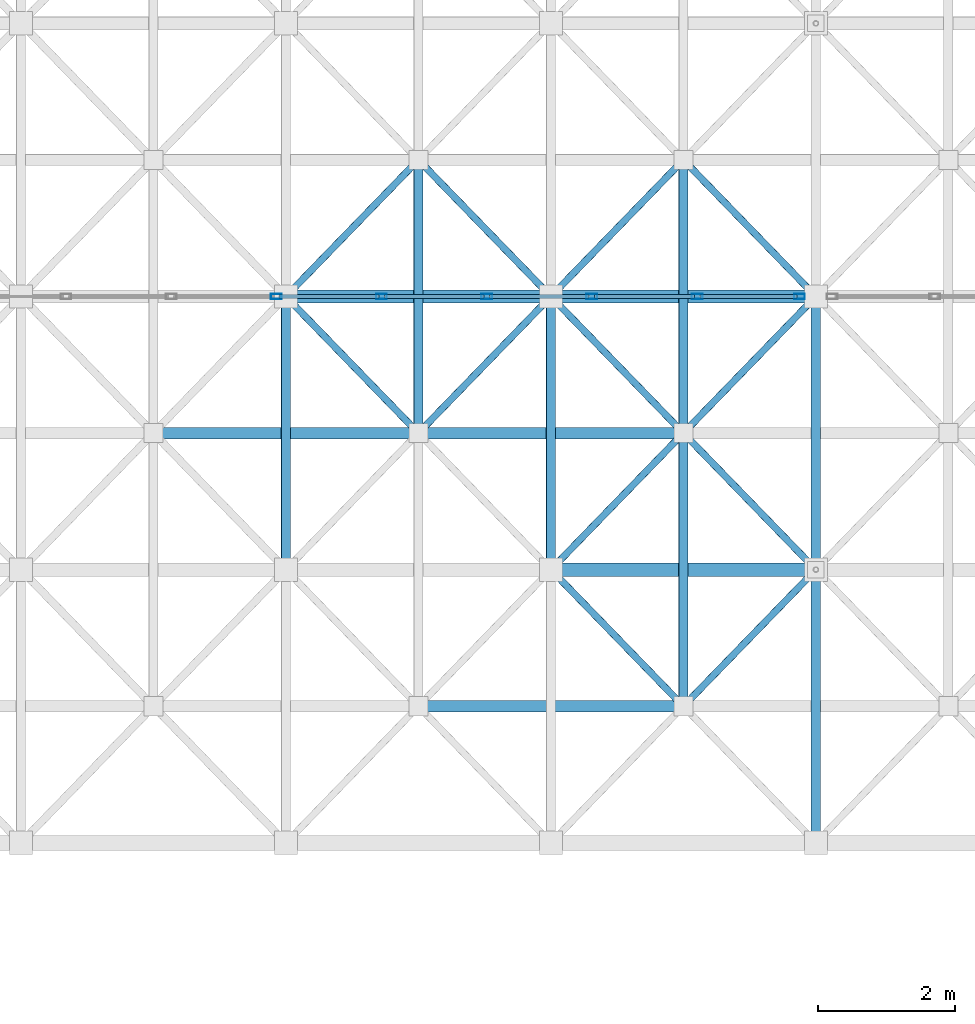
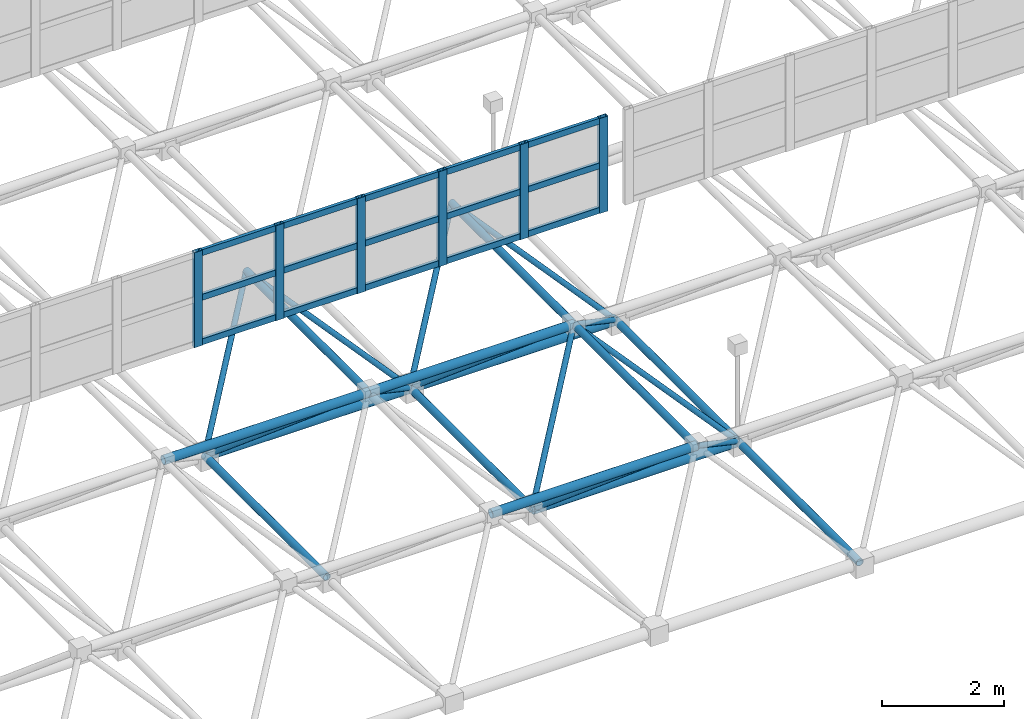
# One storey, part 48 of 195: 46 members, 1 element without a shape of its own.
"""IFC4 building model written with IfcOpenShell, lengths in metres."""

from ifc_helpers import new_model, si_unit, direction, frame, origin, origin_2d, place, context, subcontext, project, spatial, hollow_rectangle, hollow_circle, extrude, material, material_profile, profile_set, type_object, element, aggregate, save


model = new_model("IFC4")

# Units and contexts
model_context = context("Model", 3, precision=1e-05, world=origin(), true_north=direction((0.0, 1.0)))
body_context = subcontext(model_context, "Body", "Model", "MODEL_VIEW")
ifc_project = project(units=[si_unit("LENGTHUNIT", "METRE"), si_unit("AREAUNIT", "SQUARE_METRE"), si_unit("VOLUMEUNIT", "CUBIC_METRE"), si_unit("PLANEANGLEUNIT", "RADIAN"), si_unit("MASSUNIT", "GRAM", prefix="KILO")], contexts=[model_context])

# Site, building, storey
site_placement = place(None, origin())
site = spatial("IfcSite", under=ifc_project, at=site_placement, CompositionType="ELEMENT")
building_placement = place(site_placement, origin())
building = spatial("IfcBuilding", under=site, at=building_placement, Name="Kharva Crest Polytechnic", CompositionType="ELEMENT")
storey_placement = place(building_placement, frame((0.0, 0.0, 9.0)))
storey = spatial("IfcBuildingStorey", under=building, at=storey_placement, Name="L02", CompositionType="ELEMENT", Elevation=9.0)

# Curtain wall, members
ifc_material_1 = material(Name="Tempered insulated glass", Category="glass")
curtain_wall_type = type_object("IfcCurtainWallType", Name="CW-SYS-NORTHLIGHT", PredefinedType="USERDEFINED", material=ifc_material_1)
curtain_wall_placement = place(storey_placement, origin())
curtain_wall = element("IfcCurtainWall", 1, at=curtain_wall_placement, inside=storey, type_object=curtain_wall_type, Name="L02 Glazed Curtain Wall CW-189", ObjectType="CURTAIN WALL", PredefinedType="USERDEFINED")
ifc_material_2 = material(Name="Steel S355", Category="steel")
ifc_material_profile_1 = material_profile(ifc_material_2, hollow_rectangle(XDim=0.080078125, YDim=0.159912109375, WallThickness=0.0048828125, at=origin_2d()), Name="RHS 160X80X5.0")
ifc_profile_set_1 = profile_set([ifc_material_profile_1], Name="Steel S355")
member_type_1 = type_object("IfcMemberType", Name="CWM-RHS160X80", PredefinedType="MULLION", material=ifc_profile_set_1)
member_1_placement = place(storey_placement, frame((8.10009765625, 46.800048828125, 2.85009765625), z_axis=(0.0, 0.0, 1.0), x_axis=(0.0, 1.0, 0.0)))
member_1 = element("IfcMember", 2, at=member_1_placement, type_object=member_type_1, Name="CW-189 mullion 6", PredefinedType="MULLION", context=body_context, shape_type="SweptSolid", body=[
    extrude(hollow_rectangle(XDim=0.080078125, YDim=0.159912109375, WallThickness=0.0048828125, at=origin_2d()), origin(), (0.0, 0.0, 1.0), 1.89990234375),
])
member_2_placement = place(storey_placement, frame((9.639892578125, 46.800048828125, 2.85009765625), z_axis=(0.0, 0.0, 1.0), x_axis=(0.0, 1.0, 0.0)))
member_2 = element("IfcMember", 3, at=member_2_placement, type_object=member_type_1, Name="CW-189 mullion 7", PredefinedType="MULLION", context=body_context, shape_type="SweptSolid", body=[
    extrude(hollow_rectangle(XDim=0.080078125, YDim=0.159912109375, WallThickness=0.0048828125, at=origin_2d()), origin(), (0.0, 0.0, 1.0), 1.89990234375),
])
member_3_placement = place(storey_placement, frame((11.179931640625, 46.800048828125, 2.85009765625), z_axis=(0.0, 0.0, 1.0), x_axis=(0.0, 1.0, 0.0)))
member_3 = element("IfcMember", 4, at=member_3_placement, type_object=member_type_1, Name="CW-189 mullion 8", PredefinedType="MULLION", context=body_context, shape_type="SweptSolid", body=[
    extrude(hollow_rectangle(XDim=0.080078125, YDim=0.159912109375, WallThickness=0.0048828125, at=origin_2d()), origin(), (0.0, 0.0, 1.0), 1.89990234375),
])
member_4_placement = place(storey_placement, frame((12.719970703125, 46.800048828125, 2.85009765625), z_axis=(0.0, 0.0, 1.0), x_axis=(0.0, 1.0, 0.0)))
member_4 = element("IfcMember", 5, at=member_4_placement, type_object=member_type_1, Name="CW-189 mullion 9", PredefinedType="MULLION", context=body_context, shape_type="SweptSolid", body=[
    extrude(hollow_rectangle(XDim=0.080078125, YDim=0.159912109375, WallThickness=0.0048828125, at=origin_2d()), origin(), (0.0, 0.0, 1.0), 1.89990234375),
])
member_5_placement = place(storey_placement, frame((14.260009765625, 46.800048828125, 2.85009765625), z_axis=(0.0, 0.0, 1.0), x_axis=(0.0, 1.0, 0.0)))
member_5 = element("IfcMember", 6, at=member_5_placement, type_object=member_type_1, Name="CW-189 mullion 10", PredefinedType="MULLION", context=body_context, shape_type="SweptSolid", body=[
    extrude(hollow_rectangle(XDim=0.080078125, YDim=0.159912109375, WallThickness=0.0048828125, at=origin_2d()), origin(), (0.0, 0.0, 1.0), 1.89990234375),
])
member_6_placement = place(storey_placement, frame((15.760009765625, 46.800048828125, 2.85009765625), z_axis=(0.0, 0.0, 1.0), x_axis=(0.0, 1.0, 0.0)))
member_6 = element("IfcMember", 7, at=member_6_placement, type_object=member_type_1, Name="CW-189 mullion 11", PredefinedType="MULLION", context=body_context, shape_type="SweptSolid", body=[
    extrude(hollow_rectangle(XDim=0.080078125, YDim=0.159912109375, WallThickness=0.0048828125, at=origin_2d()), origin(), (0.0, 0.0, 1.0), 1.89990234375),
])
ifc_material_profile_2 = material_profile(ifc_material_2, hollow_rectangle(XDim=0.06005859375, YDim=0.1201171875, WallThickness=0.00390625, at=origin_2d()), Name="RHS 120X60X4.0")
ifc_profile_set_2 = profile_set([ifc_material_profile_2], Name="Steel S355")
member_type_2 = type_object("IfcMemberType", Name="CWT-RHS120X60", PredefinedType="USERDEFINED", material=ifc_profile_set_2)
member_7_placement = place(storey_placement, frame((8.139892578125, 46.800048828125, 2.909912109375), z_axis=(1.0, 0.0, 0.0), x_axis=(0.0, 1.0, 0.0)))
member_7 = element("IfcMember", 8, at=member_7_placement, type_object=member_type_2, Name="CW-189 transom 6.1", ObjectType="TRANSOM", PredefinedType="USERDEFINED", context=body_context, shape_type="SweptSolid", body=[
    extrude(hollow_rectangle(XDim=0.06005859375, YDim=0.1201171875, WallThickness=0.00390625, at=origin_2d()), origin(), (0.0, 0.0, 1.0), 1.460205078125),
])
member_8_placement = place(storey_placement, frame((8.139892578125, 46.800048828125, 3.800048828125), z_axis=(1.0, 0.0, 0.0), x_axis=(0.0, 1.0, 0.0)))
member_8 = element("IfcMember", 9, at=member_8_placement, type_object=member_type_2, Name="CW-189 transom 6.2", ObjectType="TRANSOM", PredefinedType="USERDEFINED", context=body_context, shape_type="SweptSolid", body=[
    extrude(hollow_rectangle(XDim=0.06005859375, YDim=0.1201171875, WallThickness=0.00390625, at=origin_2d()), origin(), (0.0, 0.0, 1.0), 1.460205078125),
])
member_9_placement = place(storey_placement, frame((8.139892578125, 46.800048828125, 4.68994140625), z_axis=(1.0, 0.0, 0.0), x_axis=(0.0, 1.0, 0.0)))
member_9 = element("IfcMember", 10, at=member_9_placement, type_object=member_type_2, Name="CW-189 transom 6.3", ObjectType="TRANSOM", PredefinedType="USERDEFINED", context=body_context, shape_type="SweptSolid", body=[
    extrude(hollow_rectangle(XDim=0.06005859375, YDim=0.1201171875, WallThickness=0.00390625, at=origin_2d()), origin(), (0.0, 0.0, 1.0), 1.460205078125),
])
member_10_placement = place(storey_placement, frame((9.679931640625, 46.800048828125, 2.909912109375), z_axis=(1.0, 0.0, 0.0), x_axis=(0.0, 1.0, 0.0)))
member_10 = element("IfcMember", 11, at=member_10_placement, type_object=member_type_2, Name="CW-189 transom 7.1", ObjectType="TRANSOM", PredefinedType="USERDEFINED", context=body_context, shape_type="SweptSolid", body=[
    extrude(hollow_rectangle(XDim=0.06005859375, YDim=0.1201171875, WallThickness=0.00390625, at=origin_2d()), origin(), (0.0, 0.0, 1.0), 1.4599609375),
])
member_11_placement = place(storey_placement, frame((9.679931640625, 46.800048828125, 3.800048828125), z_axis=(1.0, 0.0, 0.0), x_axis=(0.0, 1.0, 0.0)))
member_11 = element("IfcMember", 12, at=member_11_placement, type_object=member_type_2, Name="CW-189 transom 7.2", ObjectType="TRANSOM", PredefinedType="USERDEFINED", context=body_context, shape_type="SweptSolid", body=[
    extrude(hollow_rectangle(XDim=0.06005859375, YDim=0.1201171875, WallThickness=0.00390625, at=origin_2d()), origin(), (0.0, 0.0, 1.0), 1.4599609375),
])
member_12_placement = place(storey_placement, frame((9.679931640625, 46.800048828125, 4.68994140625), z_axis=(1.0, 0.0, 0.0), x_axis=(0.0, 1.0, 0.0)))
member_12 = element("IfcMember", 13, at=member_12_placement, type_object=member_type_2, Name="CW-189 transom 7.3", ObjectType="TRANSOM", PredefinedType="USERDEFINED", context=body_context, shape_type="SweptSolid", body=[
    extrude(hollow_rectangle(XDim=0.06005859375, YDim=0.1201171875, WallThickness=0.00390625, at=origin_2d()), origin(), (0.0, 0.0, 1.0), 1.4599609375),
])
member_13_placement = place(storey_placement, frame((11.219970703125, 46.800048828125, 2.909912109375), z_axis=(1.0, 0.0, 0.0), x_axis=(0.0, 1.0, 0.0)))
member_13 = element("IfcMember", 14, at=member_13_placement, type_object=member_type_2, Name="CW-189 transom 8.1", ObjectType="TRANSOM", PredefinedType="USERDEFINED", context=body_context, shape_type="SweptSolid", body=[
    extrude(hollow_rectangle(XDim=0.06005859375, YDim=0.1201171875, WallThickness=0.00390625, at=origin_2d()), origin(), (0.0, 0.0, 1.0), 1.4599609375),
])
member_14_placement = place(storey_placement, frame((11.219970703125, 46.800048828125, 3.800048828125), z_axis=(1.0, 0.0, 0.0), x_axis=(0.0, 1.0, 0.0)))
member_14 = element("IfcMember", 15, at=member_14_placement, type_object=member_type_2, Name="CW-189 transom 8.2", ObjectType="TRANSOM", PredefinedType="USERDEFINED", context=body_context, shape_type="SweptSolid", body=[
    extrude(hollow_rectangle(XDim=0.06005859375, YDim=0.1201171875, WallThickness=0.00390625, at=origin_2d()), origin(), (0.0, 0.0, 1.0), 1.4599609375),
])
member_15_placement = place(storey_placement, frame((11.219970703125, 46.800048828125, 4.68994140625), z_axis=(1.0, 0.0, 0.0), x_axis=(0.0, 1.0, 0.0)))
member_15 = element("IfcMember", 16, at=member_15_placement, type_object=member_type_2, Name="CW-189 transom 8.3", ObjectType="TRANSOM", PredefinedType="USERDEFINED", context=body_context, shape_type="SweptSolid", body=[
    extrude(hollow_rectangle(XDim=0.06005859375, YDim=0.1201171875, WallThickness=0.00390625, at=origin_2d()), origin(), (0.0, 0.0, 1.0), 1.4599609375),
])
member_16_placement = place(storey_placement, frame((12.760009765625, 46.800048828125, 2.909912109375), z_axis=(1.0, 0.0, 0.0), x_axis=(0.0, 1.0, 0.0)))
member_16 = element("IfcMember", 17, at=member_16_placement, type_object=member_type_2, Name="CW-189 transom 9.1", ObjectType="TRANSOM", PredefinedType="USERDEFINED", context=body_context, shape_type="SweptSolid", body=[
    extrude(hollow_rectangle(XDim=0.06005859375, YDim=0.1201171875, WallThickness=0.00390625, at=origin_2d()), origin(), (0.0, 0.0, 1.0), 1.4599609375),
])
member_17_placement = place(storey_placement, frame((12.760009765625, 46.800048828125, 3.800048828125), z_axis=(1.0, 0.0, 0.0), x_axis=(0.0, 1.0, 0.0)))
member_17 = element("IfcMember", 18, at=member_17_placement, type_object=member_type_2, Name="CW-189 transom 9.2", ObjectType="TRANSOM", PredefinedType="USERDEFINED", context=body_context, shape_type="SweptSolid", body=[
    extrude(hollow_rectangle(XDim=0.06005859375, YDim=0.1201171875, WallThickness=0.00390625, at=origin_2d()), origin(), (0.0, 0.0, 1.0), 1.4599609375),
])
member_18_placement = place(storey_placement, frame((12.760009765625, 46.800048828125, 4.68994140625), z_axis=(1.0, 0.0, 0.0), x_axis=(0.0, 1.0, 0.0)))
member_18 = element("IfcMember", 19, at=member_18_placement, type_object=member_type_2, Name="CW-189 transom 9.3", ObjectType="TRANSOM", PredefinedType="USERDEFINED", context=body_context, shape_type="SweptSolid", body=[
    extrude(hollow_rectangle(XDim=0.06005859375, YDim=0.1201171875, WallThickness=0.00390625, at=origin_2d()), origin(), (0.0, 0.0, 1.0), 1.4599609375),
])
member_19_placement = place(storey_placement, frame((14.300048828125, 46.800048828125, 2.909912109375), z_axis=(1.0, 0.0, 0.0), x_axis=(0.0, 1.0, 0.0)))
member_19 = element("IfcMember", 20, at=member_19_placement, type_object=member_type_2, Name="CW-189 transom 10.1", ObjectType="TRANSOM", PredefinedType="USERDEFINED", context=body_context, shape_type="SweptSolid", body=[
    extrude(hollow_rectangle(XDim=0.06005859375, YDim=0.1201171875, WallThickness=0.00390625, at=origin_2d()), origin(), (0.0, 0.0, 1.0), 1.419921875),
])
member_20_placement = place(storey_placement, frame((14.300048828125, 46.800048828125, 3.800048828125), z_axis=(1.0, 0.0, 0.0), x_axis=(0.0, 1.0, 0.0)))
member_20 = element("IfcMember", 21, at=member_20_placement, type_object=member_type_2, Name="CW-189 transom 10.2", ObjectType="TRANSOM", PredefinedType="USERDEFINED", context=body_context, shape_type="SweptSolid", body=[
    extrude(hollow_rectangle(XDim=0.06005859375, YDim=0.1201171875, WallThickness=0.00390625, at=origin_2d()), origin(), (0.0, 0.0, 1.0), 1.419921875),
])
member_21_placement = place(storey_placement, frame((14.300048828125, 46.800048828125, 4.68994140625), z_axis=(1.0, 0.0, 0.0), x_axis=(0.0, 1.0, 0.0)))
member_21 = element("IfcMember", 22, at=member_21_placement, type_object=member_type_2, Name="CW-189 transom 10.3", ObjectType="TRANSOM", PredefinedType="USERDEFINED", context=body_context, shape_type="SweptSolid", body=[
    extrude(hollow_rectangle(XDim=0.06005859375, YDim=0.1201171875, WallThickness=0.00390625, at=origin_2d()), origin(), (0.0, 0.0, 1.0), 1.419921875),
])
aggregate(curtain_wall, [member_1, member_2, member_3, member_4, member_5, member_6, member_7, member_8, member_9, member_10, member_11, member_12, member_13, member_14, member_15, member_16, member_17, member_18, member_19, member_20, member_21])

# Members
ifc_material_profile_3 = material_profile(ifc_material_2, hollow_circle(Radius=0.05078125, WallThickness=0.0048828125, at=origin_2d()), Name="CHS 101.6X5.0")
ifc_profile_set_3 = profile_set([ifc_material_profile_3], Name="Steel S355")
member_type_3 = type_object("IfcMemberType", Name="MEM-CHS101", PredefinedType="BRACE", material=ifc_profile_set_3)
for number, where, z_axis, x_axis, name in (
    (23, (8.239990234375, 46.800048828125, 0.60009765625), (0.584843378742, -0.602949529154, 0.542595694449), (0.717802189577, 0.696247094528, 0.0), "Space Frame Web Diagonal 567"),
    (24, (12.1201171875, 46.800048828125, 0.60009765625), (-0.584891802813, -0.602923574763, 0.542572338032), (0.717758400015, -0.696292236929, 0.0), "Space Frame Web Diagonal 568"),
    (25, (8.239990234375, 46.800048828125, 0.60009765625), (0.584843378742, 0.602949529154, 0.542595694449), (-0.717802189577, 0.696247094528, 0.0), "Space Frame Web Diagonal 569"),
    (26, (12.1201171875, 46.800048828125, 0.60009765625), (-0.584891802813, 0.602923574763, 0.542572338032), (-0.717758400015, -0.696292236929, 0.0), "Space Frame Web Diagonal 570"),
    (27, (12.1201171875, 42.800048828125, 0.60009765625), (0.584843378742, -0.602949529154, 0.542595694449), (0.717802189577, 0.696247094528, 0.0), "Space Frame Web Diagonal 619"),
    (28, (16.0, 42.800048828125, 0.60009765625), (-0.584843378742, -0.602949529154, 0.542595694449), (0.717802189577, -0.696247094528, 0.0), "Space Frame Web Diagonal 620"),
    (29, (12.1201171875, 42.800048828125, 0.60009765625), (0.584843378742, 0.602949529154, 0.542595694449), (-0.717802189577, 0.696247094528, 0.0), "Space Frame Web Diagonal 621"),
    (30, (16.0, 42.800048828125, 0.60009765625), (-0.584843378742, 0.602949529154, 0.542595694449), (-0.717802189577, -0.696247094528, 0.0), "Space Frame Web Diagonal 622"),
    (31, (12.1201171875, 46.800048828125, 0.60009765625), (0.584843378742, -0.602949529154, 0.542595694449), (0.717802189577, 0.696247094528, 0.0), "Space Frame Web Diagonal 623"),
    (32, (16.0, 46.800048828125, 0.60009765625), (-0.584843378742, -0.602949529154, 0.542595694449), (0.717802189577, -0.696247094528, 0.0), "Space Frame Web Diagonal 624"),
    (33, (12.1201171875, 46.800048828125, 0.60009765625), (0.584843378742, 0.602949529154, 0.542595694449), (-0.717802189577, 0.696247094528, 0.0), "Space Frame Web Diagonal 625"),
    (34, (16.0, 46.800048828125, 0.60009765625), (-0.584843378742, 0.602949529154, 0.542595694449), (-0.717802189577, -0.696247094528, 0.0), "Space Frame Web Diagonal 626"),
):
    element("IfcMember", number, at=place(storey_placement, frame(where, z_axis=z_axis, x_axis=x_axis)), inside=storey, type_object=member_type_3, Name=name, PredefinedType="BRACE", context=body_context, shape_type="SweptSolid", body=[
        extrude(hollow_circle(Radius=0.05078125, WallThickness=0.0048828125, at=origin_2d()), origin(), (0.0, 0.0, 1.0), 3.317138671875),
    ])
ifc_material_profile_4 = material_profile(ifc_material_2, hollow_circle(Radius=0.06982421875, WallThickness=0.00634765625, at=origin_2d()), Name="CHS 139.7X6.3")
ifc_profile_set_4 = profile_set([ifc_material_profile_4], Name="Steel S355")
member_type_4 = type_object("IfcMemberType", Name="MEM-CHS139", PredefinedType="CHORD", material=ifc_profile_set_4)
for number, where, z_axis, x_axis, name in (
    (35, (8.239990234375, 42.800048828125, 0.60009765625), (0.0, 1.0, 0.0), (-1.0, 0.0, 0.0), "Space Frame Bottom Chord Y 150"),
    (36, (12.1201171875, 42.800048828125, 0.60009765625), (0.0, 1.0, 0.0), (-1.0, 0.0, 0.0), "Space Frame Bottom Chord Y 164"),
    (37, (16.0, 38.800048828125, 0.60009765625), (0.0, 1.0, 0.0), (-1.0, 0.0, 0.0), "Space Frame Bottom Chord Y 177"),
    (38, (16.0, 42.800048828125, 0.60009765625), (0.0, 1.0, 0.0), (-1.0, 0.0, 0.0), "Space Frame Bottom Chord Y 178"),
    (39, (10.179931640625, 44.800048828125, 2.39990234375), (0.0, 1.0, 0.0), (-1.0, 0.0, 0.0), "Space Frame Top Chord Y 372"),
    (40, (14.06005859375, 40.800048828125, 2.39990234375), (0.0, 1.0, 0.0), (-1.0, 0.0, 0.0), "Space Frame Top Chord Y 384"),
    (41, (14.06005859375, 44.800048828125, 2.39990234375), (0.0, 1.0, 0.0), (-1.0, 0.0, 0.0), "Space Frame Top Chord Y 385"),
):
    element("IfcMember", number, at=place(storey_placement, frame(where, z_axis=z_axis, x_axis=x_axis)), inside=storey, type_object=member_type_4, Name=name, PredefinedType="CHORD", context=body_context, shape_type="SweptSolid", body=[
        extrude(hollow_circle(Radius=0.06982421875, WallThickness=0.00634765625, at=origin_2d()), origin(), (0.0, 0.0, 1.0), 4.0),
    ])
ifc_material_profile_5 = material_profile(ifc_material_2, hollow_circle(Radius=0.084228515625, WallThickness=0.008056640625, at=origin_2d()), Name="CHS 168.3X8.0")
ifc_profile_set_5 = profile_set([ifc_material_profile_5], Name="Steel S355")
member_type_5 = type_object("IfcMemberType", Name="MEM-CHS168", PredefinedType="CHORD", material=ifc_profile_set_5)
member_22_placement = place(storey_placement, frame((10.179931640625, 40.800048828125, 2.39990234375), z_axis=(1.0, 0.0, 0.0), x_axis=(0.0, 1.0, 0.0)))
element("IfcMember", 42, at=member_22_placement, inside=storey, type_object=member_type_5, Name="Space Frame Top Chord X 249", PredefinedType="CHORD", context=body_context, shape_type="SweptSolid", body=[
    extrude(hollow_circle(Radius=0.084228515625, WallThickness=0.008056640625, at=origin_2d()), origin(), (0.0, 0.0, 1.0), 3.880126953125),
])
member_23_placement = place(storey_placement, frame((6.300048828125, 44.800048828125, 2.39990234375), z_axis=(1.0, 0.0, 0.0), x_axis=(0.0, 1.0, 0.0)))
element("IfcMember", 43, at=member_23_placement, inside=storey, type_object=member_type_5, Name="Space Frame Top Chord X 255", PredefinedType="CHORD", context=body_context, shape_type="SweptSolid", body=[
    extrude(hollow_circle(Radius=0.084228515625, WallThickness=0.008056640625, at=origin_2d()), origin(), (0.0, 0.0, 1.0), 3.8798828125),
])
member_24_placement = place(storey_placement, frame((10.179931640625, 44.800048828125, 2.39990234375), z_axis=(1.0, 0.0, 0.0), x_axis=(0.0, 1.0, 0.0)))
element("IfcMember", 44, at=member_24_placement, inside=storey, type_object=member_type_5, Name="Space Frame Top Chord X 256", PredefinedType="CHORD", context=body_context, shape_type="SweptSolid", body=[
    extrude(hollow_circle(Radius=0.084228515625, WallThickness=0.008056640625, at=origin_2d()), origin(), (0.0, 0.0, 1.0), 3.880126953125),
])
ifc_material_profile_6 = material_profile(ifc_material_2, hollow_circle(Radius=0.096923828125, WallThickness=0.008056640625, at=origin_2d()), Name="CHS 193.7X8.0")
ifc_profile_set_6 = profile_set([ifc_material_profile_6], Name="Steel S355")
member_type_6 = type_object("IfcMemberType", Name="MEM-CHS193", PredefinedType="CHORD", material=ifc_profile_set_6)
member_25_placement = place(storey_placement, frame((12.1201171875, 42.800048828125, 0.60009765625), z_axis=(1.0, 0.0, 0.0), x_axis=(0.0, 1.0, 0.0)))
element("IfcMember", 45, at=member_25_placement, inside=storey, type_object=member_type_6, Name="Space Frame Bottom Chord X 12", PredefinedType="CHORD", context=body_context, shape_type="SweptSolid", body=[
    extrude(hollow_circle(Radius=0.096923828125, WallThickness=0.008056640625, at=origin_2d()), origin(), (0.0, 0.0, 1.0), 3.8798828125),
])
member_26_placement = place(storey_placement, frame((8.239990234375, 46.800048828125, 0.60009765625), z_axis=(1.0, 0.0, 0.0), x_axis=(0.0, 1.0, 0.0)))
element("IfcMember", 46, at=member_26_placement, inside=storey, type_object=member_type_6, Name="Space Frame Bottom Chord X 19", PredefinedType="CHORD", context=body_context, shape_type="SweptSolid", body=[
    extrude(hollow_circle(Radius=0.096923828125, WallThickness=0.008056640625, at=origin_2d()), origin(), (0.0, 0.0, 1.0), 3.880126953125),
])
member_27_placement = place(storey_placement, frame((12.1201171875, 46.800048828125, 0.60009765625), z_axis=(1.0, 0.0, 0.0), x_axis=(0.0, 1.0, 0.0)))
element("IfcMember", 47, at=member_27_placement, inside=storey, type_object=member_type_6, Name="Space Frame Bottom Chord X 20", PredefinedType="CHORD", context=body_context, shape_type="SweptSolid", body=[
    extrude(hollow_circle(Radius=0.096923828125, WallThickness=0.008056640625, at=origin_2d()), origin(), (0.0, 0.0, 1.0), 3.8798828125),
])

save(model, "model.ifc")
